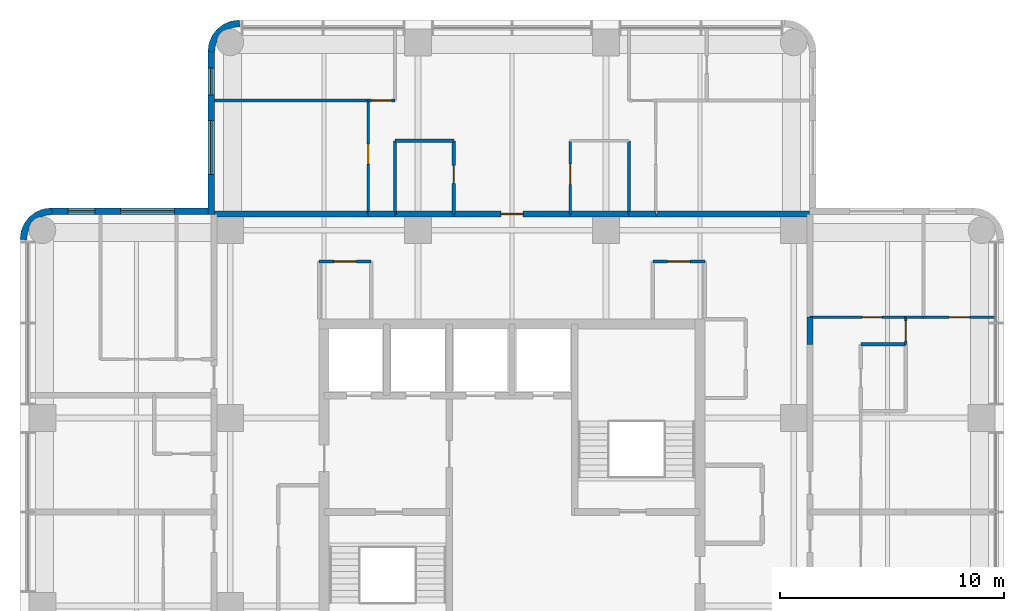
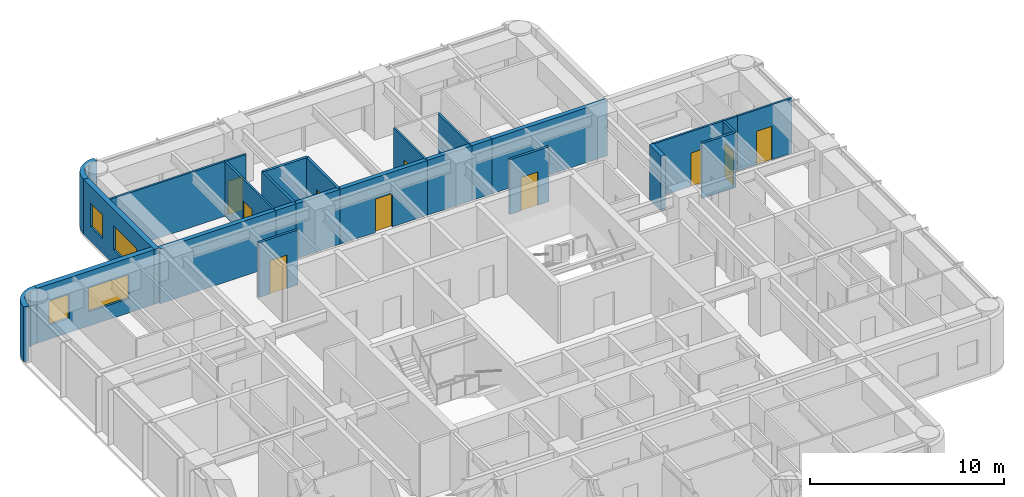
# One storey, part 8 of 10: 27 walls, 10 doors, 4 windows, 14 openings.
"""IFC4 building model written with IfcOpenShell, lengths in metres."""

from ifc_helpers import new_model, si_unit, direction, frame, frame_2d, origin, place, context, subcontext, project, spatial, polyline, rectangle, outline, extrude, material, layer, layer_set, type_object, element, fill, save


model = new_model("IFC4")

# Units and contexts
model_context = context("Model", 3, precision=1e-05, world=origin(), true_north=direction((0.0, 1.0)))
body_context = subcontext(model_context, "Body", "Model", "MODEL_VIEW")
ifc_project = project(units=[si_unit("LENGTHUNIT", "METRE"), si_unit("AREAUNIT", "SQUARE_METRE"), si_unit("VOLUMEUNIT", "CUBIC_METRE"), si_unit("PLANEANGLEUNIT", "RADIAN"), si_unit("MASSUNIT", "GRAM", prefix="KILO")], contexts=[model_context])

# Site, building, storey
site_placement = place(None, origin())
site = spatial("IfcSite", under=ifc_project, at=site_placement, CompositionType="ELEMENT")
building_placement = place(site_placement, origin())
building = spatial("IfcBuilding", under=site, at=building_placement, Name="Torre Alcanfor", CompositionType="ELEMENT")
storey_placement = place(building_placement, frame((0.0, 0.0, 290.10009765625)))
storey = spatial("IfcBuildingStorey", under=building, at=storey_placement, Name="L76", CompositionType="ELEMENT", Elevation=290.10009765625)

# Wall, opening, door
ifc_material_1 = material(Name="Concrete block masonry, hollow blocks NMX-C-404 9 MPa", Category="masonry")
ifc_layer_1 = layer(ifc_material_1, 0.25)
ifc_layer_set_1 = layer_set([ifc_layer_1], Name="Apartment entrance wall 250 EI 60")
wall_type_1 = type_object("IfcWallType", Name="Apartment entrance wall 250 EI 60", PredefinedType="PARTITIONING", material=ifc_layer_set_1)
wall_1_placement = place(storey_placement, frame((26.800048828125, 42.72509765625, 0.0), z_axis=(0.0, 0.0, 1.0), x_axis=(1.0, 0.0, 0.0)))
wall_1 = element("IfcWall", 1, at=wall_1_placement, inside=storey, type_object=wall_type_1, Name="Partition L76-CORR / L76-NX-ZAG", PredefinedType="PARTITIONING", context=body_context, shape_type="SweptSolid", body=[
    extrude(rectangle(XDim=5.199951171875, YDim=0.25, at=frame_2d((2.60009765625, 0.0))), origin(), (0.0, 0.0, 1.0), 3.449951171875),
])
opening_1_placement = place(wall_1_placement, frame((2.10009765625, 0.0, 0.0)))
opening_1 = element("IfcOpeningElement", 2, at=opening_1_placement, cuts=wall_1, Name="Opening D-A1", PredefinedType="OPENING", context=body_context, shape_type="SweptSolid", body=[
    extrude(rectangle(XDim=1.0, YDim=2.10009765625, at=frame_2d((0.5, 1.050048828125))), frame((0.0, 0.135009765625, 0.0), z_axis=(0.0, -1.0, 0.0), x_axis=(1.0, 0.0, 0.0)), (0.0, 0.0, 1.0), 0.27001953125),
])
ifc_material_2 = material(Name="Galvanised steel sheet ASTM A653", Category="steel")
door_type_1 = type_object("IfcDoorType", Name="Apartment entrance door FD60 1000x2100", OperationType="SINGLE_SWING_LEFT", PredefinedType="DOOR", material=ifc_material_2)
door_1_placement = place(opening_1_placement, origin())
door_1 = element("IfcDoor", 3, at=door_1_placement, inside=storey, type_object=door_type_1, Name="Apartment entrance L76-NX", OperationType="SINGLE_SWING_LEFT", OverallHeight=2.10009765625, OverallWidth=1.0, PredefinedType="DOOR", context=body_context, shape_type="SweptSolid", body=[
    extrude(rectangle(XDim=1.0, YDim=2.10009765625, at=frame_2d((0.5, 1.050048828125))), frame((0.0, 0.02490234375, 0.0), z_axis=(0.0, -1.0, 0.0), x_axis=(1.0, 0.0, 0.0)), (0.0, 0.0, 1.0), 0.050048828125),
])
fill(opening_1, door_1)

# Walls
wall_2_placement = place(storey_placement, frame((24.1708984375, 42.72509765625, 0.0), z_axis=(0.0, 0.0, 1.0), x_axis=(1.0, 0.0, 0.0)))
element("IfcWall", 4, at=wall_2_placement, inside=storey, type_object=wall_type_1, Name="Partition L76-CORR / L76-NX-BATH2", PredefinedType="PARTITIONING", context=body_context, shape_type="SweptSolid", body=[
    extrude(rectangle(XDim=2.629150390625, YDim=0.25, at=frame_2d((1.314453125, 0.0))), origin(), (0.0, 0.0, 1.0), 3.449951171875),
])
wall_3_placement = place(storey_placement, frame((32.0, 42.72509765625, 0.0), z_axis=(0.0, 0.0, 1.0), x_axis=(1.0, 0.0, 0.0)))
element("IfcWall", 5, at=wall_3_placement, inside=storey, type_object=wall_type_1, Name="Partition L76-CORR / L76-NX-KITCHEN", PredefinedType="PARTITIONING", context=body_context, shape_type="SweptSolid", body=[
    extrude(rectangle(XDim=2.62890625, YDim=0.25, at=frame_2d((1.314453125, 0.0))), origin(), (0.0, 0.0, 1.0), 3.449951171875),
])
wall_4_placement = place(storey_placement, frame((22.970947265625, 42.72509765625, 0.0), z_axis=(0.0, 0.0, 1.0), x_axis=(1.0, 0.0, 0.0)))
element("IfcWall", 6, at=wall_4_placement, inside=storey, type_object=wall_type_1, Name="Partition L76-CORR / L76-NX-LIVING", PredefinedType="PARTITIONING", context=body_context, shape_type="SweptSolid", body=[
    extrude(rectangle(XDim=1.199951171875, YDim=0.25, at=frame_2d((0.60009765625, 0.0))), origin(), (0.0, 0.0, 1.0), 3.449951171875),
])
wall_5_placement = place(storey_placement, frame((34.62890625, 42.72509765625, 0.0), z_axis=(0.0, 0.0, 1.0), x_axis=(1.0, 0.0, 0.0)))
element("IfcWall", 7, at=wall_5_placement, inside=storey, type_object=wall_type_1, Name="Partition L76-CORR / L76-NX-LIVING", PredefinedType="PARTITIONING", context=body_context, shape_type="SweptSolid", body=[
    extrude(rectangle(XDim=1.2001953125, YDim=0.25, at=frame_2d((0.60009765625, 0.0))), origin(), (0.0, 0.0, 1.0), 3.449951171875),
])
for number, where, z_axis, x_axis, name in (
    (8, (16.10009765625, 42.72509765625, 0.0), (0.0, 0.0, 1.0), (1.0, 0.0, 0.0), "Partition L76-CORR / L76-NX-BED2"),
    (9, (35.8291015625, 42.72509765625, 0.0), (0.0, 0.0, 1.0), (1.0, 0.0, 0.0), "Partition L76-CORR / L76-NX-BED3"),
):
    element("IfcWall", number, at=place(storey_placement, frame(where, z_axis=z_axis, x_axis=x_axis)), inside=storey, type_object=wall_type_1, Name=name, PredefinedType="PARTITIONING", context=body_context, shape_type="SweptSolid", body=[
        extrude(rectangle(XDim=6.870849609375, YDim=0.25, at=frame_2d((3.435546875, 0.0))), origin(), (0.0, 0.0, 1.0), 3.449951171875),
    ])
wall_6_placement = place(storey_placement, frame((42.72509765625, 38.114013671875, 0.0), z_axis=(0.0, 0.0, 1.0), x_axis=(0.0, -1.0, 0.0)))
element("IfcWall", 10, at=wall_6_placement, inside=storey, type_object=wall_type_1, Name="Partition L76-CORR / L76-E1-HALL", PredefinedType="PARTITIONING", context=body_context, shape_type="SweptSolid", body=[
    extrude(rectangle(XDim=1.214111328125, YDim=0.25, at=frame_2d((0.60693359375, 0.0))), origin(), (0.0, 0.0, 1.0), 3.449951171875),
])

# Wall, opening, door
ifc_material_3 = material(Name="Gypsum board on steel studs", Category="steel")
ifc_layer_2 = layer(ifc_material_3, 0.1201171875)
ifc_layer_set_2 = layer_set([ifc_layer_2], Name="Apartment partition 120")
wall_type_2 = type_object("IfcWallType", Name="Apartment partition 120", PredefinedType="PARTITIONING", material=ifc_layer_set_2)
wall_7_placement = place(storey_placement, frame((32.0, 42.72509765625, 0.0), z_axis=(0.0, 0.0, 1.0), x_axis=(0.0, 1.0, 0.0)))
wall_7 = element("IfcWall", 11, at=wall_7_placement, inside=storey, type_object=wall_type_2, Name="Partition L76-NX-ZAG / L76-NX-KITCHEN", PredefinedType="PARTITIONING", context=body_context, shape_type="SweptSolid", body=[
    extrude(rectangle(XDim=3.27490234375, YDim=0.1201171875, at=frame_2d((1.637451171875, 0.0))), origin(), (0.0, 0.0, 1.0), 3.449951171875),
])
opening_2_placement = place(wall_7_placement, frame((1.324951171875, 0.0, 0.0)))
opening_2 = element("IfcOpeningElement", 12, at=opening_2_placement, cuts=wall_7, Name="Opening D-R1", PredefinedType="OPENING", context=body_context, shape_type="SweptSolid", body=[
    extrude(rectangle(XDim=0.89990234375, YDim=2.10009765625, at=frame_2d((0.449951171875, 1.050048828125))), frame((0.0, 0.070068359375, 0.0), z_axis=(0.0, -1.0, 0.0), x_axis=(1.0, 0.0, 0.0)), (0.0, 0.0, 1.0), 0.14013671875),
])
ifc_material_4 = material(Name="Timber", Category="wood")
door_type_2 = type_object("IfcDoorType", Name="Internal door 900x2100", OperationType="SINGLE_SWING_LEFT", PredefinedType="DOOR", material=ifc_material_4)
door_2_placement = place(opening_2_placement, frame((0.89990234375, 0.0, 0.0), z_axis=(0.0, 0.0, 1.0), x_axis=(-1.0, 0.0, 0.0)))
door_2 = element("IfcDoor", 13, at=door_2_placement, inside=storey, type_object=door_type_2, Name="Door L76-NX kitchen", OperationType="SINGLE_SWING_LEFT", OverallHeight=2.10009765625, OverallWidth=0.89990234375, PredefinedType="DOOR", context=body_context, shape_type="SweptSolid", body=[
    extrude(rectangle(XDim=0.89990234375, YDim=2.10009765625, at=frame_2d((0.449951171875, 1.050048828125))), frame((0.0, 0.025146484375, 0.0), z_axis=(0.0, -1.0, 0.0), x_axis=(1.0, 0.0, 0.0)), (0.0, 0.0, 1.0), 0.050048828125),
])
fill(opening_2, door_2)

# Wall
wall_8_placement = place(storey_placement, frame((34.62890625, 42.72509765625, 0.0), z_axis=(0.0, 0.0, 1.0), x_axis=(0.0, 1.0, 0.0)))
element("IfcWall", 14, at=wall_8_placement, inside=storey, type_object=wall_type_2, Name="Partition L76-NX-KITCHEN / L76-NX-LIVING", PredefinedType="PARTITIONING", context=body_context, shape_type="SweptSolid", body=[
    extrude(rectangle(XDim=3.27490234375, YDim=0.1201171875, at=frame_2d((1.637451171875, 0.0))), origin(), (0.0, 0.0, 1.0), 3.449951171875),
])

# Wall, opening, door
wall_9_placement = place(storey_placement, frame((22.970947265625, 42.72509765625, 0.0), z_axis=(0.0, 0.0, 1.0), x_axis=(0.0, 1.0, 0.0)))
wall_9 = element("IfcWall", 15, at=wall_9_placement, inside=storey, type_object=wall_type_2, Name="Partition L76-NX-LIVING / L76-NX-BED2", PredefinedType="PARTITIONING", context=body_context, shape_type="SweptSolid", body=[
    extrude(rectangle(XDim=5.074951171875, YDim=0.1201171875, at=frame_2d((2.53759765625, 0.0))), origin(), (0.0, 0.0, 1.0), 3.449951171875),
])
opening_3_placement = place(wall_9_placement, frame((2.22509765625, 0.0, 0.0)))
opening_3 = element("IfcOpeningElement", 16, at=opening_3_placement, cuts=wall_9, Name="Opening D-R1", PredefinedType="OPENING", context=body_context, shape_type="SweptSolid", body=[
    extrude(rectangle(XDim=0.89990234375, YDim=2.10009765625, at=frame_2d((0.449951171875, 1.050048828125))), frame((0.0, 0.070068359375, 0.0), z_axis=(0.0, -1.0, 0.0), x_axis=(1.0, 0.0, 0.0)), (0.0, 0.0, 1.0), 0.14013671875),
])
door_3_placement = place(opening_3_placement, origin())
door_3 = element("IfcDoor", 17, at=door_3_placement, inside=storey, type_object=door_type_2, Name="Door L76-NX bed2", OperationType="SINGLE_SWING_RIGHT", OverallHeight=2.10009765625, OverallWidth=0.89990234375, PredefinedType="DOOR", context=body_context, shape_type="SweptSolid", body=[
    extrude(rectangle(XDim=0.89990234375, YDim=2.10009765625, at=frame_2d((0.449951171875, 1.050048828125))), frame((0.0, 0.02490234375, 0.0), z_axis=(0.0, -1.0, 0.0), x_axis=(1.0, 0.0, 0.0)), (0.0, 0.0, 1.0), 0.050048828125),
])
fill(opening_3, door_3)

wall_10_placement = place(storey_placement, frame((22.970947265625, 47.800048828125, 0.0), z_axis=(0.0, 0.0, 1.0), x_axis=(1.0, 0.0, 0.0)))
wall_10 = element("IfcWall", 18, at=wall_10_placement, inside=storey, type_object=wall_type_2, Name="Partition L76-NX-LIVING / L76-NX-MASTER", PredefinedType="PARTITIONING", context=body_context, shape_type="SweptSolid", body=[
    extrude(rectangle(XDim=1.199951171875, YDim=0.1201171875, at=frame_2d((0.60009765625, 0.0))), origin(), (0.0, 0.0, 1.0), 3.449951171875),
])
opening_4_placement = place(wall_10_placement, frame((0.14892578125, 0.0, 0.0)))
opening_4 = element("IfcOpeningElement", 19, at=opening_4_placement, cuts=wall_10, Name="Opening D-R1", PredefinedType="OPENING", context=body_context, shape_type="SweptSolid", body=[
    extrude(rectangle(XDim=0.89990234375, YDim=2.10009765625, at=frame_2d((0.449951171875, 1.050048828125))), frame((0.0, 0.070068359375, 0.0), z_axis=(0.0, -1.0, 0.0), x_axis=(1.0, 0.0, 0.0)), (0.0, 0.0, 1.0), 0.14013671875),
])
door_4_placement = place(opening_4_placement, origin())
door_4 = element("IfcDoor", 20, at=door_4_placement, inside=storey, type_object=door_type_2, Name="Door L76-NX master", OperationType="SINGLE_SWING_RIGHT", OverallHeight=2.10009765625, OverallWidth=0.89990234375, PredefinedType="DOOR", context=body_context, shape_type="SweptSolid", body=[
    extrude(rectangle(XDim=0.89990234375, YDim=2.10009765625, at=frame_2d((0.449951171875, 1.050048828125))), frame((0.0, 0.02490234375, 0.0), z_axis=(0.0, -1.0, 0.0), x_axis=(1.0, 0.0, 0.0)), (0.0, 0.0, 1.0), 0.050048828125),
])
fill(opening_4, door_4)

# Wall
wall_11_placement = place(storey_placement, frame((22.970947265625, 47.800048828125, 0.0), z_axis=(0.0, 0.0, 1.0), x_axis=(-1.0, 0.0, 0.0)))
element("IfcWall", 21, at=wall_11_placement, inside=storey, type_object=wall_type_2, Name="Partition L76-NX-BED2 / L76-NX-MASTER", PredefinedType="PARTITIONING", context=body_context, shape_type="SweptSolid", body=[
    extrude(rectangle(XDim=6.870849609375, YDim=0.1201171875, at=frame_2d((3.435546875, 0.0))), origin(), (0.0, 0.0, 1.0), 3.449951171875),
])

# Wall, opening, door
wall_12_placement = place(storey_placement, frame((47.0, 36.89990234375, 0.0), z_axis=(0.0, 0.0, 1.0), x_axis=(0.0, 1.0, 0.0)))
wall_12 = element("IfcWall", 22, at=wall_12_placement, inside=storey, type_object=wall_type_2, Name="Partition L76-E1-HALL / L76-E1-LIVING", PredefinedType="PARTITIONING", context=body_context, shape_type="SweptSolid", body=[
    extrude(rectangle(XDim=1.214111328125, YDim=0.1201171875, at=frame_2d((0.60693359375, 0.0))), origin(), (0.0, 0.0, 1.0), 3.449951171875),
])
opening_5_placement = place(wall_12_placement, frame((0.14990234375, 0.0, 0.0)))
opening_5 = element("IfcOpeningElement", 23, at=opening_5_placement, cuts=wall_12, Name="Opening D-R1", PredefinedType="OPENING", context=body_context, shape_type="SweptSolid", body=[
    extrude(rectangle(XDim=0.89990234375, YDim=2.10009765625, at=frame_2d((0.449951171875, 1.050048828125))), frame((0.0, 0.070068359375, 0.0), z_axis=(0.0, -1.0, 0.0), x_axis=(1.0, 0.0, 0.0)), (0.0, 0.0, 1.0), 0.14013671875),
])
door_5_placement = place(opening_5_placement, frame((0.89990234375, 0.0, 0.0), z_axis=(0.0, 0.0, 1.0), x_axis=(-1.0, 0.0, 0.0)))
door_5 = element("IfcDoor", 24, at=door_5_placement, inside=storey, type_object=door_type_2, Name="Door L76-E1 living", OperationType="SINGLE_SWING_LEFT", OverallHeight=2.10009765625, OverallWidth=0.89990234375, PredefinedType="DOOR", context=body_context, shape_type="SweptSolid", body=[
    extrude(rectangle(XDim=0.89990234375, YDim=2.10009765625, at=frame_2d((0.449951171875, 1.050048828125))), frame((0.0, 0.025146484375, 0.0), z_axis=(0.0, -1.0, 0.0), x_axis=(1.0, 0.0, 0.0)), (0.0, 0.0, 1.0), 0.050048828125),
])
fill(opening_5, door_5)

wall_13_placement = place(storey_placement, frame((47.0, 38.114013671875, 0.0), z_axis=(0.0, 0.0, 1.0), x_axis=(-1.0, 0.0, 0.0)))
wall_13 = element("IfcWall", 25, at=wall_13_placement, inside=storey, type_object=wall_type_2, Name="Partition L76-E1-HALL / L76-E1-MASTER", PredefinedType="PARTITIONING", context=body_context, shape_type="SweptSolid", body=[
    extrude(rectangle(XDim=4.27490234375, YDim=0.1201171875, at=frame_2d((2.137451171875, 0.0))), origin(), (0.0, 0.0, 1.0), 3.449951171875),
])
opening_6_placement = place(wall_13_placement, frame((1.050048828125, 0.0, 0.0)))
opening_6 = element("IfcOpeningElement", 26, at=opening_6_placement, cuts=wall_13, Name="Opening D-R1", PredefinedType="OPENING", context=body_context, shape_type="SweptSolid", body=[
    extrude(rectangle(XDim=0.89990234375, YDim=2.10009765625, at=frame_2d((0.449951171875, 1.050048828125))), frame((0.0, 0.070068359375, 0.0), z_axis=(0.0, -1.0, 0.0), x_axis=(1.0, 0.0, 0.0)), (0.0, 0.0, 1.0), 0.14013671875),
])
door_6_placement = place(opening_6_placement, frame((0.89990234375, 0.0, 0.0), z_axis=(0.0, 0.0, 1.0), x_axis=(-1.0, 0.0, 0.0)))
door_6 = element("IfcDoor", 27, at=door_6_placement, inside=storey, type_object=door_type_2, Name="Door L76-E1 master", OperationType="SINGLE_SWING_RIGHT", OverallHeight=2.10009765625, OverallWidth=0.89990234375, PredefinedType="DOOR", context=body_context, shape_type="SweptSolid", body=[
    extrude(rectangle(XDim=0.89990234375, YDim=2.10009765625, at=frame_2d((0.449951171875, 1.050048828125))), frame((0.0, 0.025146484375, 0.0), z_axis=(0.0, -1.0, 0.0), x_axis=(1.0, 0.0, 0.0)), (0.0, 0.0, 1.0), 0.050048828125),
])
fill(opening_6, door_6)

# Wall
wall_14_placement = place(storey_placement, frame((47.800048828125, 38.114013671875, 0.0), z_axis=(0.0, 0.0, 1.0), x_axis=(-1.0, 0.0, 0.0)))
element("IfcWall", 28, at=wall_14_placement, inside=storey, type_object=wall_type_2, Name="Partition L76-E1-LIVING / L76-E1-MASTER", PredefinedType="PARTITIONING", context=body_context, shape_type="SweptSolid", body=[
    extrude(rectangle(XDim=0.800048828125, YDim=0.1201171875, at=frame_2d((0.39990234375, 0.0))), origin(), (0.0, 0.0, 1.0), 3.449951171875),
])

# Wall, opening, door
wall_15_placement = place(storey_placement, frame((51.050048828125, 38.114013671875, 0.0), z_axis=(0.0, 0.0, 1.0), x_axis=(-1.0, 0.0, 0.0)))
wall_15 = element("IfcWall", 29, at=wall_15_placement, inside=storey, type_object=wall_type_2, Name="Partition L76-E1-LIVING / L76-E1-BED2", PredefinedType="PARTITIONING", context=body_context, shape_type="SweptSolid", body=[
    extrude(rectangle(XDim=3.25, YDim=0.1201171875, at=frame_2d((1.625, 0.0))), origin(), (0.0, 0.0, 1.0), 3.449951171875),
])
opening_7_placement = place(wall_15_placement, frame((1.199951171875, 0.0, 0.0)))
opening_7 = element("IfcOpeningElement", 30, at=opening_7_placement, cuts=wall_15, Name="Opening D-R1", PredefinedType="OPENING", context=body_context, shape_type="SweptSolid", body=[
    extrude(rectangle(XDim=0.89990234375, YDim=2.10009765625, at=frame_2d((0.449951171875, 1.050048828125))), frame((0.0, 0.070068359375, 0.0), z_axis=(0.0, -1.0, 0.0), x_axis=(1.0, 0.0, 0.0)), (0.0, 0.0, 1.0), 0.14013671875),
])
door_7_placement = place(opening_7_placement, frame((0.89990234375, 0.0, 0.0), z_axis=(0.0, 0.0, 1.0), x_axis=(-1.0, 0.0, 0.0)))
door_7 = element("IfcDoor", 31, at=door_7_placement, inside=storey, type_object=door_type_2, Name="Door L76-E1 bed2", OperationType="SINGLE_SWING_LEFT", OverallHeight=2.10009765625, OverallWidth=0.89990234375, PredefinedType="DOOR", context=body_context, shape_type="SweptSolid", body=[
    extrude(rectangle(XDim=0.89990234375, YDim=2.10009765625, at=frame_2d((0.449951171875, 1.050048828125))), frame((0.0, 0.025146484375, 0.0), z_axis=(0.0, -1.0, 0.0), x_axis=(1.0, 0.0, 0.0)), (0.0, 0.0, 1.0), 0.050048828125),
])
fill(opening_7, door_7)

# Wall, openings, windows
ifc_material_5 = material(Name="Limestone cladding", Category="masonry")
ifc_layer_3 = layer(ifc_material_5, 0.0400390625, Name="Facing")
ifc_material_6 = material(Name="Ventilated air cavity")
ifc_layer_4 = layer(ifc_material_6, 0.02001953125, ventilated=True, Name="Ventilated joint")
ifc_material_7 = material(Name="Mineral wool insulation", Category="insulation")
ifc_layer_5 = layer(ifc_material_7, 0.10009765625, Name="Insulation")
ifc_material_8 = material(Name="Concrete f'c 35 MPa", Category="concrete")
ifc_layer_6 = layer(ifc_material_8, 0.139892578125, Name="Backing")
ifc_layer_set_3 = layer_set([ifc_layer_3, ifc_layer_4, ifc_layer_5, ifc_layer_6], Name="External wall stone-clad 300")
wall_type_3 = type_object("IfcWallType", Name="External wall stone-clad 300", PredefinedType="SOLIDWALL", material=ifc_layer_set_3)
wall_16_placement = place(storey_placement, frame((15.800048828125, 42.85009765625, 0.0), z_axis=(0.0, 0.0, 1.0), x_axis=(-1.0, 0.0, 0.0)))
wall_16 = element("IfcWall", 32, at=wall_16_placement, inside=storey, type_object=wall_type_3, Name="External wall L76 1", PredefinedType="SOLIDWALL", context=body_context, shape_type="SweptSolid", body=[
    extrude(rectangle(XDim=7.0, YDim=0.300048828125, at=frame_2d((3.5, 0.0))), origin(), (0.0, 0.0, 1.0), 3.449951171875),
])
opening_8_placement = place(wall_16_placement, frame((1.5, 0.0, 0.89990234375)))
opening_8 = element("IfcOpeningElement", 33, at=opening_8_placement, cuts=wall_16, Name="Opening W1", PredefinedType="OPENING", context=body_context, shape_type="SweptSolid", body=[
    extrude(rectangle(XDim=2.39990234375, YDim=1.5, at=frame_2d((1.199951171875, 0.75))), frame((0.0, 0.159912109375, 0.0), z_axis=(0.0, -1.0, 0.0), x_axis=(1.0, 0.0, 0.0)), (0.0, 0.0, 1.0), 0.320068359375),
])
opening_9_placement = place(wall_16_placement, frame((5.050048828125, 0.0, 0.89990234375)))
opening_9 = element("IfcOpeningElement", 34, at=opening_9_placement, cuts=wall_16, Name="Opening W4", PredefinedType="OPENING", context=body_context, shape_type="SweptSolid", body=[
    extrude(rectangle(XDim=1.199951171875, YDim=1.5, at=frame_2d((0.60009765625, 0.75))), frame((0.0, 0.159912109375, 0.0), z_axis=(0.0, -1.0, 0.0), x_axis=(1.0, 0.0, 0.0)), (0.0, 0.0, 1.0), 0.320068359375),
])
ifc_material_9 = material(Name="Aluminium frame with clear double glazing", Category="aluminium")
window_type_1 = type_object("IfcWindowType", Name="Window bedroom 1200x1500", PartitioningType="SINGLE_PANEL", PredefinedType="WINDOW", material=ifc_material_9)
window_1_placement = place(opening_9_placement, origin())
window_1 = element("IfcWindow", 35, at=window_1_placement, inside=storey, type_object=window_type_1, Name="Window W4 L76-W2", OverallHeight=1.5, OverallWidth=1.199951171875, PartitioningType="SINGLE_PANEL", PredefinedType="WINDOW", context=body_context, shape_type="SweptSolid", body=[
    extrude(rectangle(XDim=1.199951171875, YDim=1.5, at=frame_2d((0.60009765625, 0.75))), frame((0.0, 0.030029296875, 0.0), z_axis=(0.0, -1.0, 0.0), x_axis=(1.0, 0.0, 0.0)), (0.0, 0.0, 1.0), 0.06005859375),
])
fill(opening_9, window_1)
ifc_material_10 = material(Name="Aluminium frame with clear double glazing", Category="aluminium")
window_type_2 = type_object("IfcWindowType", Name="Window bedroom 2400x1500", PartitioningType="SINGLE_PANEL", PredefinedType="WINDOW", material=ifc_material_10)
window_2_placement = place(opening_8_placement, origin())
window_2 = element("IfcWindow", 36, at=window_2_placement, inside=storey, type_object=window_type_2, Name="Window W1 L76-W2", OverallHeight=1.5, OverallWidth=2.39990234375, PartitioningType="SINGLE_PANEL", PredefinedType="WINDOW", context=body_context, shape_type="SweptSolid", body=[
    extrude(rectangle(XDim=2.39990234375, YDim=1.5, at=frame_2d((1.199951171875, 0.75))), frame((0.0, 0.030029296875, 0.0), z_axis=(0.0, -1.0, 0.0), x_axis=(1.0, 0.0, 0.0)), (0.0, 0.0, 1.0), 0.06005859375),
])
fill(opening_8, window_2)

wall_17_placement = place(storey_placement, frame((15.949951171875, 50.0, 0.0), z_axis=(0.0, 0.0, 1.0), x_axis=(0.0, -1.0, 0.0)))
wall_17 = element("IfcWall", 37, at=wall_17_placement, inside=storey, type_object=wall_type_3, Name="External wall L76 12", PredefinedType="SOLIDWALL", context=body_context, shape_type="SweptSolid", body=[
    extrude(rectangle(XDim=7.300048828125, YDim=0.300048828125, at=frame_2d((3.64990234375, 0.0))), origin(), (0.0, 0.0, 1.0), 3.449951171875),
])
opening_10_placement = place(wall_17_placement, frame((3.10009765625, 0.0, 0.89990234375)))
opening_10 = element("IfcOpeningElement", 38, at=opening_10_placement, cuts=wall_17, Name="Opening W1", PredefinedType="OPENING", context=body_context, shape_type="SweptSolid", body=[
    extrude(rectangle(XDim=2.39990234375, YDim=1.5, at=frame_2d((1.199951171875, 0.75))), frame((0.0, 0.159912109375, 0.0), z_axis=(0.0, -1.0, 0.0), x_axis=(1.0, 0.0, 0.0)), (0.0, 0.0, 1.0), 0.320068359375),
])
opening_11_placement = place(wall_17_placement, frame((0.75, 0.0, 0.89990234375)))
opening_11 = element("IfcOpeningElement", 39, at=opening_11_placement, cuts=wall_17, Name="Opening W4", PredefinedType="OPENING", context=body_context, shape_type="SweptSolid", body=[
    extrude(rectangle(XDim=1.199951171875, YDim=1.5, at=frame_2d((0.60009765625, 0.75))), frame((0.0, 0.159912109375, 0.0), z_axis=(0.0, -1.0, 0.0), x_axis=(1.0, 0.0, 0.0)), (0.0, 0.0, 1.0), 0.320068359375),
])
window_3_placement = place(opening_11_placement, origin())
window_3 = element("IfcWindow", 40, at=window_3_placement, inside=storey, type_object=window_type_1, Name="Window W4 L76-N1", OverallHeight=1.5, OverallWidth=1.199951171875, PartitioningType="SINGLE_PANEL", PredefinedType="WINDOW", context=body_context, shape_type="SweptSolid", body=[
    extrude(rectangle(XDim=1.199951171875, YDim=1.5, at=frame_2d((0.60009765625, 0.75))), frame((0.0, 0.030029296875, 0.0), z_axis=(0.0, -1.0, 0.0), x_axis=(1.0, 0.0, 0.0)), (0.0, 0.0, 1.0), 0.06005859375),
])
fill(opening_11, window_3)
window_4_placement = place(opening_10_placement, origin())
window_4 = element("IfcWindow", 41, at=window_4_placement, inside=storey, type_object=window_type_2, Name="Window W1 L76-N1", OverallHeight=1.5, OverallWidth=2.39990234375, PartitioningType="SINGLE_PANEL", PredefinedType="WINDOW", context=body_context, shape_type="SweptSolid", body=[
    extrude(rectangle(XDim=2.39990234375, YDim=1.5, at=frame_2d((1.199951171875, 0.75))), frame((0.0, 0.030029296875, 0.0), z_axis=(0.0, -1.0, 0.0), x_axis=(1.0, 0.0, 0.0)), (0.0, 0.0, 1.0), 0.06005859375),
])
fill(opening_10, window_4)

# Wall, opening, door
ifc_material_11 = material(Name="Concrete block masonry, hollow blocks NMX-C-404 9 MPa", Category="masonry")
ifc_layer_7 = layer(ifc_material_11, 0.14990234375)
ifc_layer_set_4 = layer_set([ifc_layer_7], Name="Residents' room partition 150")
wall_type_4 = type_object("IfcWallType", Name="Residents' room partition 150", PredefinedType="PARTITIONING", material=ifc_layer_set_4)
wall_18_placement = place(storey_placement, frame((23.10009765625, 40.60009765625, 0.0), z_axis=(0.0, 0.0, 1.0), x_axis=(-1.0, 0.0, 0.0)))
wall_18 = element("IfcWall", 42, at=wall_18_placement, inside=storey, type_object=wall_type_4, Name="Partition L76-CORR / L76-G01", PredefinedType="PARTITIONING", context=body_context, shape_type="SweptSolid", body=[
    extrude(rectangle(XDim=2.3251953125, YDim=0.14990234375, at=frame_2d((1.16259765625, 0.0))), origin(), (0.0, 0.0, 1.0), 3.449951171875),
])
opening_12_placement = place(wall_18_placement, frame((0.66259765625, 0.0, 0.0)))
opening_12 = element("IfcOpeningElement", 43, at=opening_12_placement, cuts=wall_18, Name="Opening D-M1", PredefinedType="OPENING", context=body_context, shape_type="SweptSolid", body=[
    extrude(rectangle(XDim=1.0, YDim=2.10009765625, at=frame_2d((0.5, 1.050048828125))), frame((0.0, 0.0849609375, 0.0), z_axis=(0.0, -1.0, 0.0), x_axis=(1.0, 0.0, 0.0)), (0.0, 0.0, 1.0), 0.169921875),
])
ifc_material_12 = material(Name="Timber", Category="wood")
door_type_3 = type_object("IfcDoorType", Name="Residents' room door 1000x2100", OperationType="SINGLE_SWING_LEFT", PredefinedType="DOOR", material=ifc_material_12)
door_8_placement = place(opening_12_placement, origin())
door_8 = element("IfcDoor", 44, at=door_8_placement, inside=storey, type_object=door_type_3, Name="Door L76-G01 residents' storage", OperationType="SINGLE_SWING_LEFT", OverallHeight=2.10009765625, OverallWidth=1.0, PredefinedType="DOOR", context=body_context, shape_type="SweptSolid", body=[
    extrude(rectangle(XDim=1.0, YDim=2.10009765625, at=frame_2d((0.5, 1.050048828125))), frame((0.0, 0.02490234375, 0.0), z_axis=(0.0, -1.0, 0.0), x_axis=(1.0, 0.0, 0.0)), (0.0, 0.0, 1.0), 0.050048828125),
])
fill(opening_12, door_8)

wall_19_placement = place(storey_placement, frame((38.02490234375, 40.60009765625, 0.0), z_axis=(0.0, 0.0, 1.0), x_axis=(-1.0, 0.0, 0.0)))
wall_19 = element("IfcWall", 45, at=wall_19_placement, inside=storey, type_object=wall_type_4, Name="Partition L76-CORR / L76-G02", PredefinedType="PARTITIONING", context=body_context, shape_type="SweptSolid", body=[
    extrude(rectangle(XDim=2.324951171875, YDim=0.14990234375, at=frame_2d((1.16259765625, 0.0))), origin(), (0.0, 0.0, 1.0), 3.449951171875),
])
opening_13_placement = place(wall_19_placement, frame((0.66259765625, 0.0, 0.0)))
opening_13 = element("IfcOpeningElement", 46, at=opening_13_placement, cuts=wall_19, Name="Opening D-M1", PredefinedType="OPENING", context=body_context, shape_type="SweptSolid", body=[
    extrude(rectangle(XDim=1.0, YDim=2.10009765625, at=frame_2d((0.5, 1.050048828125))), frame((0.0, 0.0849609375, 0.0), z_axis=(0.0, -1.0, 0.0), x_axis=(1.0, 0.0, 0.0)), (0.0, 0.0, 1.0), 0.169921875),
])
door_9_placement = place(opening_13_placement, origin())
door_9 = element("IfcDoor", 47, at=door_9_placement, inside=storey, type_object=door_type_3, Name="Door L76-G02 parcel room", OperationType="SINGLE_SWING_LEFT", OverallHeight=2.10009765625, OverallWidth=1.0, PredefinedType="DOOR", context=body_context, shape_type="SweptSolid", body=[
    extrude(rectangle(XDim=1.0, YDim=2.10009765625, at=frame_2d((0.5, 1.050048828125))), frame((0.0, 0.02490234375, 0.0), z_axis=(0.0, -1.0, 0.0), x_axis=(1.0, 0.0, 0.0)), (0.0, 0.0, 1.0), 0.050048828125),
])
fill(opening_13, door_9)

# Walls
ifc_layer_8 = layer(ifc_material_5, 0.0400390625, Name="Facing")
ifc_layer_9 = layer(ifc_material_6, 0.02001953125, ventilated=True, Name="Ventilated joint")
ifc_layer_10 = layer(ifc_material_7, 0.10009765625, Name="Insulation")
ifc_layer_11 = layer(ifc_material_8, 0.139892578125, Name="Backing")
ifc_layer_set_5 = layer_set([ifc_layer_8, ifc_layer_9, ifc_layer_10, ifc_layer_11], Name="Rounded corner pier stone-clad 300")
wall_type_5 = type_object("IfcWallType", Name="Rounded corner pier stone-clad 300", PredefinedType="SOLIDWALL", material=ifc_layer_set_5)
wall_20_placement = place(storey_placement, frame((8.761581746, 42.575898117, 0.0), z_axis=(0.0, 0.0, 1.0), x_axis=(-0.707106781187, 0.707106781187, 0.0)))
element("IfcWall", 48, at=wall_20_placement, inside=storey, type_object=wall_type_5, Name="Corner pier L76 13", PredefinedType="SOLIDWALL", context=body_context, shape_type="SweptSolid", body=[
    extrude(outline(polyline([(0.23297927971509194, 0.11416555226925892), (0.04670774238592084, -0.12872977027211618), (0.032551796082869844, -0.1428857165751672), (0.27268498276023495, -0.32708565200633083), (0.49520955330453675, -0.03723401977678656), (0.6350426814200405, 0.3004370895984301), (0.6826895250742122, 0.6629674217497361), (0.6350426814200405, 1.025152486918041), (0.49520955330453664, 1.3628235962932576), (0.27285761625173566, 1.6528478620143026), (0.032724429574370495, 1.468647926583139), (0.0467077423859209, 1.4546646137715884), (0.23315191320659262, 1.2115966577387127), (0.29219256729980525, 1.0690013937591991), (0.3577932940700416, 1.0034006669889626), (0.44946167805687187, 0.7826024313596671), (0.44946167805687187, 0.5433324121398051), (0.3579659275615422, 0.322361543019009), (0.29219256729980525, 0.256588182757272), (0.23297927971509194, 0.11416555226925892)])), origin(), (0.0, 0.0, 1.0), 3.449951171875),
])
wall_21_placement = place(storey_placement, frame((17.161581746, 50.975898117, 0.0), z_axis=(0.0, 0.0, 1.0), x_axis=(-0.707106781187, 0.707106781187, 0.0)))
element("IfcWall", 49, at=wall_21_placement, inside=storey, type_object=wall_type_5, Name="Corner pier L76 20", PredefinedType="SOLIDWALL", context=body_context, shape_type="SweptSolid", body=[
    extrude(outline(polyline([(0.04670774238592209, -0.12893693046191768), (0.03272442957437171, -0.14292024327346806), (0.2726849827602362, -0.3269475452131311), (0.495209553304538, -0.03709591298358683), (0.6350426814200417, 0.3005751963916298), (0.6826895250742134, 0.6627602615599347), (0.6350426814200417, 1.0252905937112406), (0.495209553304538, 1.3629617030864574), (0.2726849827602362, 1.6528133353160017), (0.032551796082871065, 1.468613399884838), (0.04653510889442147, 1.4546300870732876), (0.23315191320659384, 1.2117347645319125), (0.2921925672998066, 1.069139500552399), (0.35796592756154355, 1.003366140290662), (0.44946167805687315, 0.7823952711698656), (0.44928904456537255, 0.5432978854415043), (0.3579659275615435, 0.32249964981220874), (0.2921925672998065, 0.2567262895504718), (0.2331519132065938, 0.11413102557095803), (0.04670774238592209, -0.12893693046191768)])), origin(), (0.0, 0.0, 1.0), 3.449951171875),
])

# Wall, opening, door
ifc_material_13 = material(Name="Cement board on steel studs", Category="steel")
ifc_layer_12 = layer(ifc_material_13, 0.14990234375)
ifc_layer_set_6 = layer_set([ifc_layer_12], Name="Wet area partition 150")
wall_type_6 = type_object("IfcWallType", Name="Wet area partition 150", PredefinedType="PARTITIONING", material=ifc_layer_set_6)
wall_22_placement = place(storey_placement, frame((26.800048828125, 46.0, 0.0), z_axis=(0.0, 0.0, 1.0), x_axis=(0.0, -1.0, 0.0)))
wall_22 = element("IfcWall", 50, at=wall_22_placement, inside=storey, type_object=wall_type_6, Name="Partition L76-NX-ZAG / L76-NX-BATH2", PredefinedType="PARTITIONING", context=body_context, shape_type="SweptSolid", body=[
    extrude(rectangle(XDim=3.27490234375, YDim=0.14990234375, at=frame_2d((1.637451171875, 0.0))), origin(), (0.0, 0.0, 1.0), 3.449951171875),
])
opening_14_placement = place(wall_22_placement, frame((1.10009765625, 0.0, 0.0)))
opening_14 = element("IfcOpeningElement", 51, at=opening_14_placement, cuts=wall_22, Name="Opening D-R2", PredefinedType="OPENING", context=body_context, shape_type="SweptSolid", body=[
    extrude(rectangle(XDim=0.800048828125, YDim=2.10009765625, at=frame_2d((0.39990234375, 1.050048828125))), frame((0.0, 0.0849609375, 0.0), z_axis=(0.0, -1.0, 0.0), x_axis=(1.0, 0.0, 0.0)), (0.0, 0.0, 1.0), 0.169921875),
])
ifc_material_14 = material(Name="Timber", Category="wood")
door_type_4 = type_object("IfcDoorType", Name="Bathroom door 800x2100", OperationType="SINGLE_SWING_LEFT", PredefinedType="DOOR", material=ifc_material_14)
door_10_placement = place(opening_14_placement, frame((0.800048828125, 0.0, 0.0), z_axis=(0.0, 0.0, 1.0), x_axis=(-1.0, 0.0, 0.0)))
door_10 = element("IfcDoor", 52, at=door_10_placement, inside=storey, type_object=door_type_4, Name="Door L76-NX bath2", OperationType="SINGLE_SWING_RIGHT", OverallHeight=2.10009765625, OverallWidth=0.800048828125, PredefinedType="DOOR", context=body_context, shape_type="SweptSolid", body=[
    extrude(rectangle(XDim=0.800048828125, YDim=2.10009765625, at=frame_2d((0.400146484375, 1.050048828125))), frame((0.0, 0.025146484375, 0.0), z_axis=(0.0, -1.0, 0.0), x_axis=(1.0, 0.0, 0.0)), (0.0, 0.0, 1.0), 0.050048828125),
])
fill(opening_14, door_10)

# Walls
wall_23_placement = place(storey_placement, frame((26.800048828125, 46.0, 0.0), z_axis=(0.0, 0.0, 1.0), x_axis=(-1.0, 0.0, 0.0)))
element("IfcWall", 53, at=wall_23_placement, inside=storey, type_object=wall_type_6, Name="Partition L76-NX-BATH2 / L76-NX-LIVING", PredefinedType="PARTITIONING", context=body_context, shape_type="SweptSolid", body=[
    extrude(rectangle(XDim=2.629150390625, YDim=0.14990234375, at=frame_2d((1.314453125, 0.0))), origin(), (0.0, 0.0, 1.0), 3.449951171875),
])
wall_24_placement = place(storey_placement, frame((24.1708984375, 46.0, 0.0), z_axis=(0.0, 0.0, 1.0), x_axis=(0.0, -1.0, 0.0)))
element("IfcWall", 54, at=wall_24_placement, inside=storey, type_object=wall_type_6, Name="Partition L76-NX-BATH2 / L76-NX-LIVING", PredefinedType="PARTITIONING", context=body_context, shape_type="SweptSolid", body=[
    extrude(rectangle(XDim=3.27490234375, YDim=0.14990234375, at=frame_2d((1.637451171875, 0.0))), origin(), (0.0, 0.0, 1.0), 3.449951171875),
])
wall_25_placement = place(storey_placement, frame((47.0, 36.89990234375, 0.0), z_axis=(0.0, 0.0, 1.0), x_axis=(-1.0, 0.0, 0.0)))
element("IfcWall", 55, at=wall_25_placement, inside=storey, type_object=wall_type_6, Name="Partition L76-E1-BATH / L76-E1-HALL", PredefinedType="PARTITIONING", context=body_context, shape_type="SweptSolid", body=[
    extrude(rectangle(XDim=2.0, YDim=0.14990234375, at=frame_2d((1.0, 0.0))), origin(), (0.0, 0.0, 1.0), 3.449951171875),
])

save(model, "model.ifc")
